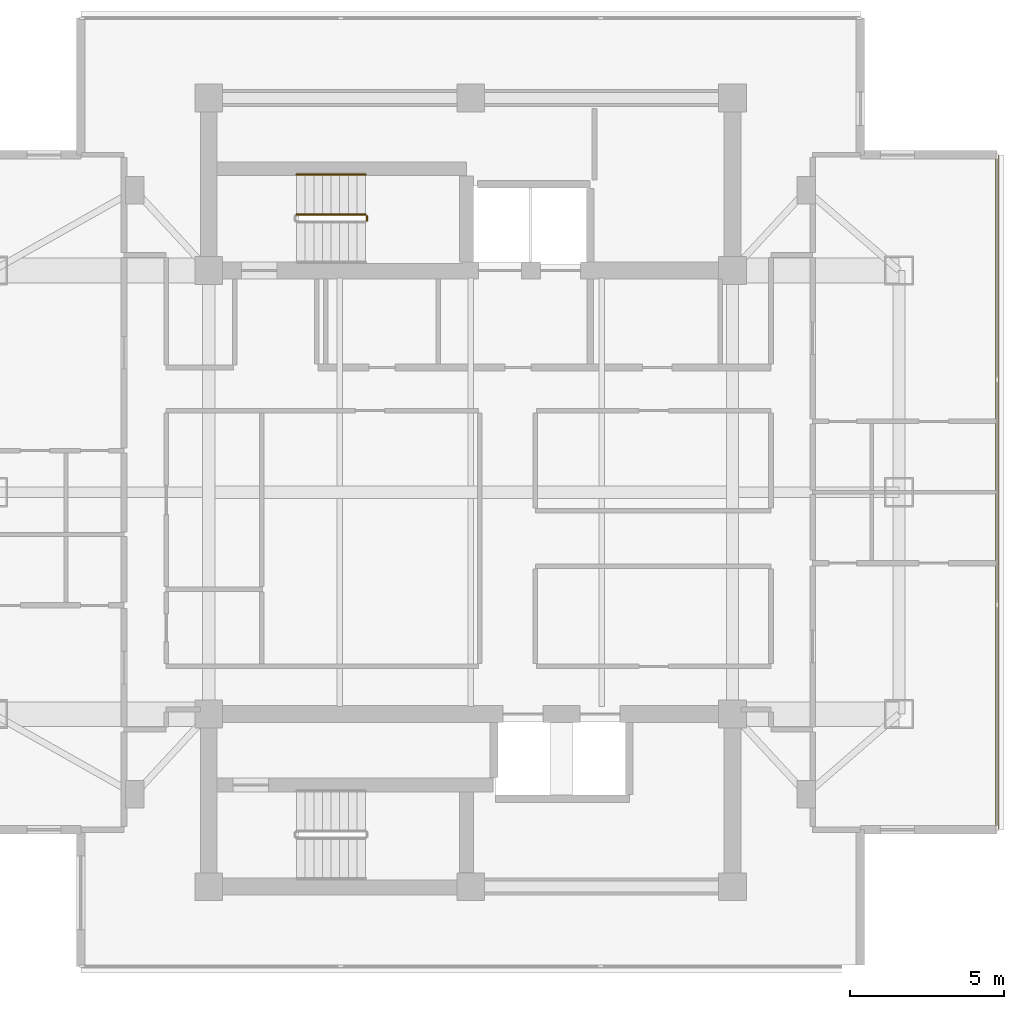
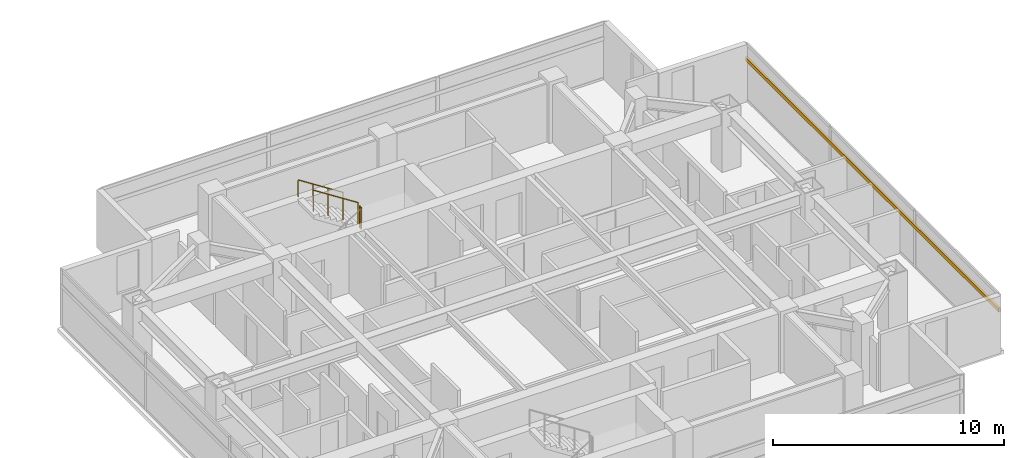
# One storey, part 23 of 24: 3 railings, 1 shading device.
"""IFC4 building model written with IfcOpenShell, lengths in metres."""

from ifc_helpers import new_model, si_unit, direction, frame, origin, origin_2d, place, context, subcontext, project, spatial, rectangle, circle, extrude, material, material_profile, profile_set, type_object, element, save


model = new_model("IFC4")

# Units and contexts
model_context = context("Model", 3, precision=1e-05, world=origin(), true_north=direction((0.0, 1.0)))
body_context = subcontext(model_context, "Body", "Model", "MODEL_VIEW")
ifc_project = project(units=[si_unit("LENGTHUNIT", "METRE"), si_unit("AREAUNIT", "SQUARE_METRE"), si_unit("VOLUMEUNIT", "CUBIC_METRE"), si_unit("PLANEANGLEUNIT", "RADIAN"), si_unit("MASSUNIT", "GRAM", prefix="KILO")], contexts=[model_context])

# Site, building, storey
site_placement = place(None, origin())
site = spatial("IfcSite", under=ifc_project, at=site_placement, CompositionType="ELEMENT")
building_placement = place(site_placement, origin())
building = spatial("IfcBuilding", under=site, at=building_placement, Name="Mirazonda Arch Towers", CompositionType="ELEMENT")
storey_placement = place(building_placement, frame((0.0, 0.0, 193.39990234375)))
storey = spatial("IfcBuildingStorey", under=building, at=storey_placement, Name="L55", CompositionType="ELEMENT", Elevation=193.39990234375)

# Shading device
ifc_material_1 = material(Name="Kiln-Fired Architectural Terracotta", Category="masonry")
ifc_material_profile = material_profile(ifc_material_1, rectangle(XDim=0.10009765625, YDim=0.199951171875, at=origin_2d()), Name="TERRA-BAG-100x200")
ifc_profile_set = profile_set([ifc_material_profile], Name="Kiln-Fired Architectural Terracotta")
shading_device_type = type_object("IfcShadingDeviceType", Name="BAGUETTE-2", PredefinedType="USERDEFINED", material=ifc_profile_set)
shading_device_placement = place(storey_placement, frame((93.591552734375, 17.05126953125, 2.181640625), z_axis=(0.0, 1.0, 0.0), x_axis=(-1.0, 0.0, 0.0)))
element("IfcShadingDevice", 1, at=shading_device_placement, inside=storey, type_object=shading_device_type, Name="L55 Glazed Terracotta Sun-Screen Baguette CW-L55-T2-E", ObjectType="BAGUETTE", PredefinedType="USERDEFINED", context=body_context, shape_type="SweptSolid", body=[
    extrude(rectangle(XDim=0.10009765625, YDim=0.199951171875, at=origin_2d()), origin(), (0.0, 0.0, 1.0), 21.8974609375),
])

# Railings
ifc_material_2 = material(Name="Architectural Brushed Steel S355", Category="steel")
railing_type_1 = type_object("IfcRailingType", Name="GUARD-STAIR-1120", PredefinedType="GUARDRAIL", material=ifc_material_2)
railing_1_placement = place(storey_placement, frame((73.139892578125, 36.820068359375, 1.625)))
element("IfcRailing", 2, at=railing_1_placement, inside=storey, type_object=railing_type_1, Name="L55 ST-T2N stair guard 2", PredefinedType="GUARDRAIL", context=body_context, shape_type="SweptSolid", body=[
    extrude(circle(Radius=0.02392578125, at=origin_2d()), frame((0.0, 0.0, 1.1259765625), z_axis=(0.0, 1.0, 0.0), x_axis=(-1.0, 0.0, 0.0)), (0.0, 0.0, 1.0), 0.139892578125),
    extrude(circle(Radius=0.02099609375, at=origin_2d()), origin(), (0.0, 0.0, 1.0), 1.101806640625),
    extrude(circle(Radius=0.02099609375, at=origin_2d()), frame((0.0, 0.139892578125, 0.0)), (0.0, 0.0, 1.0), 1.101806640625),
])
railing_2_placement = place(storey_placement, frame((73.090087890625, 37.010009765625, 1.8056640625)))
element("IfcRailing", 3, at=railing_2_placement, inside=storey, type_object=railing_type_1, Name="L55 ST-T2N stair guard 3", PredefinedType="GUARDRAIL", context=body_context, shape_type="SweptSolid", body=[
    extrude(circle(Radius=0.02392578125, at=origin_2d()), frame((0.0, 0.0, 1.1259765625), z_axis=(-0.840436612492, 0.0, 0.541909863706), x_axis=(0.0, -1.0, 0.0)), (0.0, 0.0, 1.0), 2.665283203125),
    extrude(circle(Radius=0.02099609375, at=origin_2d()), origin(), (0.0, 0.0, 1.0), 1.101806640625),
    extrude(circle(Radius=0.02099609375, at=origin_2d()), frame((-0.74658203125, 0.0, 0.4814453125)), (0.0, 0.0, 1.0), 1.101806640625),
    extrude(circle(Radius=0.02099609375, at=origin_2d()), frame((-1.493408203125, 0.0, 0.962890625)), (0.0, 0.0, 1.0), 1.101806640625),
    extrude(circle(Radius=0.02099609375, at=origin_2d()), frame((-2.239990234375, 0.0, 1.4443359375)), (0.0, 0.0, 1.0), 1.101806640625),
])
railing_type_2 = type_object("IfcRailingType", Name="HANDRAIL-915", PredefinedType="HANDRAIL", material=ifc_material_2)
railing_3_placement = place(storey_placement, frame((73.090087890625, 38.31005859375, 1.8056640625)))
element("IfcRailing", 4, at=railing_3_placement, inside=storey, type_object=railing_type_2, Name="L55 ST-T2N stair handrail 2", PredefinedType="HANDRAIL", context=body_context, shape_type="SweptSolid", body=[
    extrude(circle(Radius=0.02392578125, at=origin_2d()), frame((0.0, 0.0, 0.8759765625), z_axis=(-0.840436612492, 0.0, 0.541909863706), x_axis=(0.0, -1.0, 0.0)), (0.0, 0.0, 1.0), 2.665283203125),
    extrude(circle(Radius=0.02099609375, at=origin_2d()), origin(), (0.0, 0.0, 1.0), 0.851806640625),
    extrude(circle(Radius=0.02099609375, at=origin_2d()), frame((-0.74658203125, 0.0, 0.4814453125)), (0.0, 0.0, 1.0), 0.851806640625),
    extrude(circle(Radius=0.02099609375, at=origin_2d()), frame((-1.493408203125, 0.0, 0.962890625)), (0.0, 0.0, 1.0), 0.851806640625),
    extrude(circle(Radius=0.02099609375, at=origin_2d()), frame((-2.239990234375, 0.0, 1.4443359375)), (0.0, 0.0, 1.0), 0.851806640625),
])

save(model, "model.ifc")
